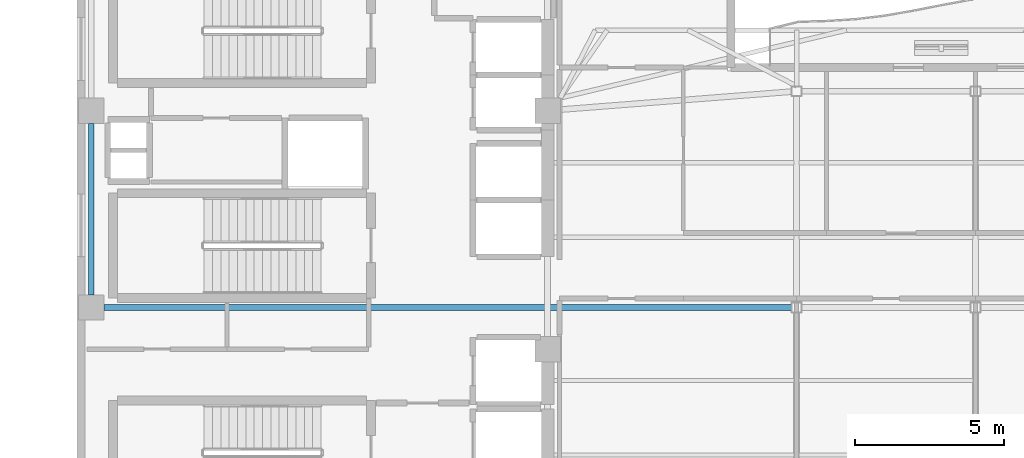
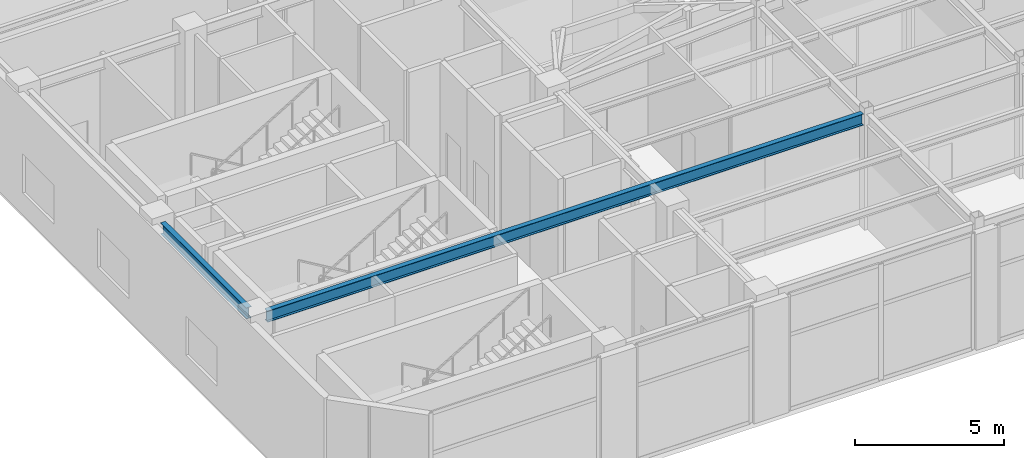
# One storey, part 3 of 15: 2 beams.
"""IFC4 building model written with IfcOpenShell, lengths in metres."""

from ifc_helpers import new_model, si_unit, direction, frame, origin, origin_2d, place, context, subcontext, project, spatial, i_section, extrude, material, material_profile, profile_set, type_object, element, save


model = new_model("IFC4")

# Units and contexts
model_context = context("Model", 3, precision=1e-05, world=origin(), true_north=direction((0.0, 1.0)))
body_context = subcontext(model_context, "Body", "Model", "MODEL_VIEW")
ifc_project = project(units=[si_unit("LENGTHUNIT", "METRE"), si_unit("AREAUNIT", "SQUARE_METRE"), si_unit("VOLUMEUNIT", "CUBIC_METRE"), si_unit("PLANEANGLEUNIT", "RADIAN"), si_unit("MASSUNIT", "GRAM", prefix="KILO")], contexts=[model_context])

# Site, building, storey
site_placement = place(None, origin())
site = spatial("IfcSite", under=ifc_project, at=site_placement, CompositionType="ELEMENT")
building_placement = place(site_placement, origin())
building = spatial("IfcBuilding", under=site, at=building_placement, Name="Mawjaban Terraces University", CompositionType="ELEMENT")
storey_placement = place(building_placement, frame((0.0, 0.0, 306.699951171875)))
storey = spatial("IfcBuildingStorey", under=building, at=storey_placement, Name="L75", CompositionType="ELEMENT", Elevation=306.699951171875)

# Beams
ifc_material = material(Name="Steel ASTM A572 Grade 50", Category="steel")
ifc_material_profile = material_profile(ifc_material, i_section(OverallWidth=0.19189453125, OverallDepth=0.462890625, WebThickness=0.010498046875, FlangeThickness=0.017578125, at=origin_2d()), Name="W460X89")
ifc_profile_set = profile_set([ifc_material_profile], Name="Steel ASTM A572 Grade 50")
beam_type = type_object("IfcBeamType", Name="Beam_B_W460X89", PredefinedType="BEAM", material=ifc_profile_set)
beam_1_placement = place(storey_placement, frame((22.77490234375, 7.949951171875, 4.509033203125), z_axis=(1.0, 0.0, 0.0), x_axis=(0.0, 1.0, 0.0)))
element("IfcBeam", 1, at=beam_1_placement, inside=storey, type_object=beam_type, Name="L75 Beam BM-L75-EW-03", PredefinedType="BEAM", context=body_context, shape_type="SweptSolid", body=[
    extrude(i_section(OverallWidth=0.19189453125, OverallDepth=0.462890625, WebThickness=0.010498046875, FlangeThickness=0.017578125, at=origin_2d()), origin(), (0.0, 0.0, 1.0), 23.050048828125),
])
beam_2_placement = place(storey_placement, frame((22.35009765625, 8.375, 4.509033203125), z_axis=(0.0, 1.0, 0.0), x_axis=(-1.0, 0.0, 0.0)))
element("IfcBeam", 2, at=beam_2_placement, inside=storey, type_object=beam_type, Name="L75 Beam BM-L75-NS-01", PredefinedType="BEAM", context=body_context, shape_type="SweptSolid", body=[
    extrude(i_section(OverallWidth=0.19189453125, OverallDepth=0.462890625, WebThickness=0.010498046875, FlangeThickness=0.017578125, at=origin_2d()), origin(), (0.0, 0.0, 1.0), 5.75),
])

save(model, "model.ifc")
